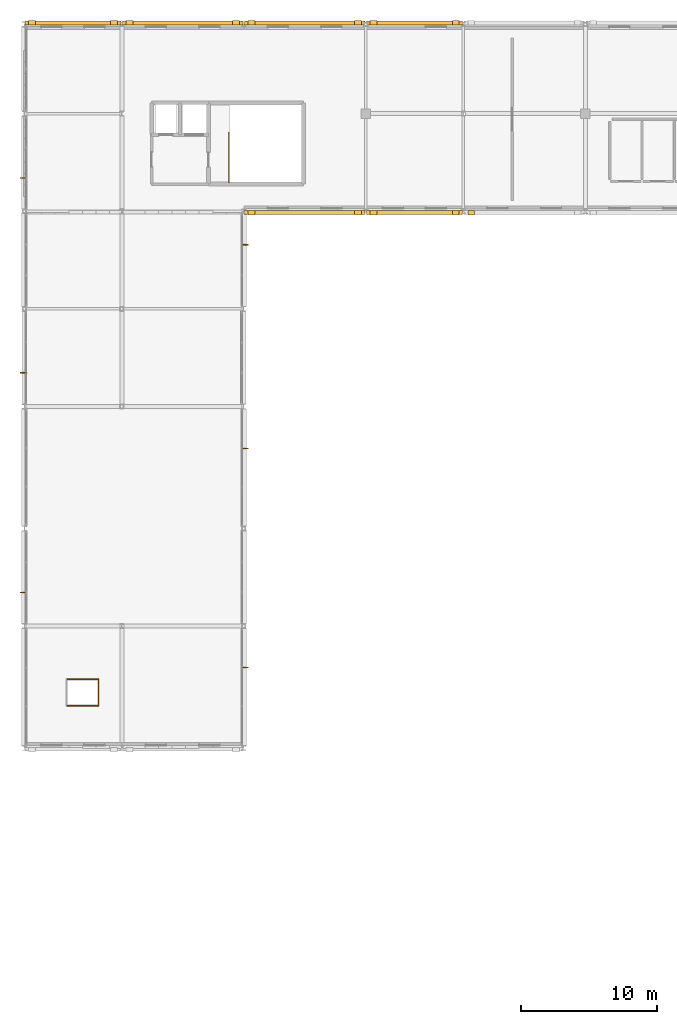
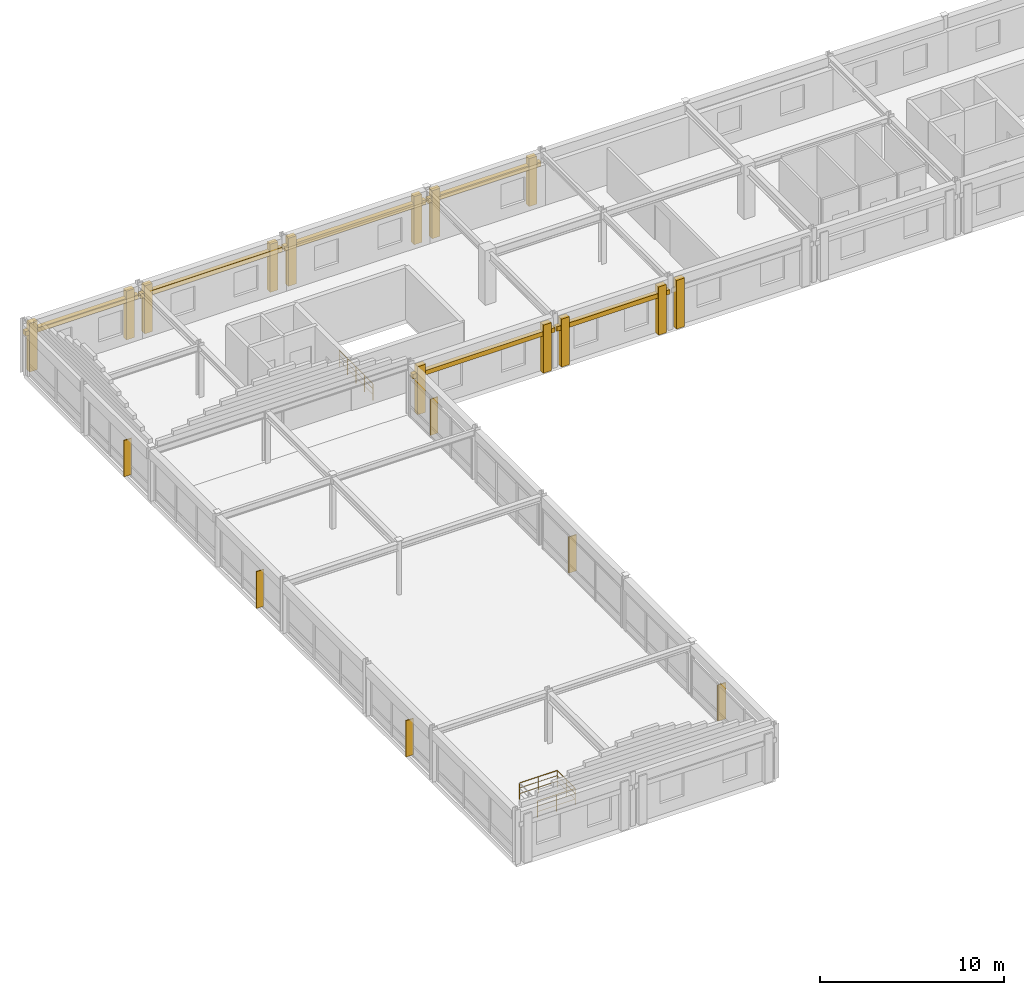
# One storey, part 47 of 52: 19 coverings, 6 shading devices, 4 railings.
"""IFC4 building model written with IfcOpenShell, lengths in metres."""

from ifc_helpers import new_model, si_unit, direction, frame, frame_2d, origin, origin_2d, place, context, subcontext, project, spatial, rectangle, circle, extrude, material, layer, layer_set, type_object, element, save


model = new_model("IFC4")

# Units and contexts
model_context = context("Model", 3, precision=1e-05, world=origin(), true_north=direction((0.0, 1.0)))
body_context = subcontext(model_context, "Body", "Model", "MODEL_VIEW")
ifc_project = project(units=[si_unit("LENGTHUNIT", "METRE"), si_unit("AREAUNIT", "SQUARE_METRE"), si_unit("VOLUMEUNIT", "CUBIC_METRE"), si_unit("PLANEANGLEUNIT", "RADIAN"), si_unit("MASSUNIT", "GRAM", prefix="KILO")], contexts=[model_context])

# Site, building, storey
site_placement = place(None, origin())
site = spatial("IfcSite", under=ifc_project, at=site_placement, CompositionType="ELEMENT")
building_placement = place(site_placement, origin())
building = spatial("IfcBuilding", under=site, at=building_placement, Name="Clarverna Civic Hall", CompositionType="ELEMENT")
storey_placement = place(building_placement, frame((0.0, 0.0, 16.800048828125)))
storey = spatial("IfcBuildingStorey", under=building, at=storey_placement, Name="L04", CompositionType="ELEMENT", Elevation=16.800048828125)

# Coverings
ifc_material_1 = material(Name="Montjuic Buff Limestone Ashlar Cladding", Category="masonry")
ifc_layer_1 = layer(ifc_material_1, 0.070068359375)
ifc_layer_set_1 = layer_set([ifc_layer_1], Name="Montjuic Buff Limestone Ashlar Cladding")
covering_type = type_object("IfcCoveringType", Name="CV-CL2", PredefinedType="CLADDING", material=ifc_layer_set_1)
covering_1_placement = place(storey_placement, frame((0.06005859375, 116.080078125, 2.4599609375), z_axis=(0.0, 0.0, 1.0), x_axis=(1.0, 0.0, 0.0)))
element("IfcCovering", 1, at=covering_1_placement, inside=storey, type_object=covering_type, Name="CV-CL2-806", PredefinedType="CLADDING", context=body_context, shape_type="SweptSolid", body=[
    extrude(rectangle(XDim=7.079833984375, YDim=0.280029296875, at=frame_2d((3.5400390625, 0.0))), origin(), (0.0, 0.0, 1.0), 0.300048828125),
])
for number, where, z_axis, x_axis, name in (
    (2, (0.320068359375, 116.110107421875, 0.0), (0.0, 0.0, 1.0), (1.0, 0.0, 0.0), "CV-CL2-807"),
    (3, (6.3798828125, 116.110107421875, 0.0), (0.0, 0.0, 1.0), (1.0, 0.0, 0.0), "CV-CL2-808"),
):
    element("IfcCovering", number, at=place(storey_placement, frame(where, z_axis=z_axis, x_axis=x_axis)), inside=storey, type_object=covering_type, Name=name, PredefinedType="CLADDING", context=body_context, shape_type="SweptSolid", body=[
        extrude(rectangle(XDim=0.5, YDim=0.340087890625, at=frame_2d((0.25, 0.0))), origin(), (0.0, 0.0, 1.0), 3.219970703125),
    ])
covering_2_placement = place(storey_placement, frame((7.260009765625, 116.080078125, 2.419921875), z_axis=(0.0, 0.0, 1.0), x_axis=(1.0, 0.0, 0.0)))
element("IfcCovering", 4, at=covering_2_placement, inside=storey, type_object=covering_type, Name="CV-CL2-809", PredefinedType="CLADDING", context=body_context, shape_type="SweptSolid", body=[
    extrude(rectangle(XDim=8.8798828125, YDim=0.280029296875, at=frame_2d((4.43994140625, 0.0))), origin(), (0.0, 0.0, 1.0), 0.300048828125),
])
for number, where, z_axis, x_axis, name in (
    (5, (7.52001953125, 116.110107421875, 0.0), (0.0, 0.0, 1.0), (1.0, 0.0, 0.0), "CV-CL2-810"),
    (6, (15.3798828125, 116.110107421875, 0.0), (0.0, 0.0, 1.0), (1.0, 0.0, 0.0), "CV-CL2-811"),
):
    element("IfcCovering", number, at=place(storey_placement, frame(where, z_axis=z_axis, x_axis=x_axis)), inside=storey, type_object=covering_type, Name=name, PredefinedType="CLADDING", context=body_context, shape_type="SweptSolid", body=[
        extrude(rectangle(XDim=0.5, YDim=0.340087890625, at=frame_2d((0.25, 0.0))), origin(), (0.0, 0.0, 1.0), 3.179931640625),
    ])
covering_3_placement = place(storey_placement, frame((16.260009765625, 116.080078125, 2.419921875), z_axis=(0.0, 0.0, 1.0), x_axis=(1.0, 0.0, 0.0)))
element("IfcCovering", 7, at=covering_3_placement, inside=storey, type_object=covering_type, Name="CV-CL2-812", PredefinedType="CLADDING", context=body_context, shape_type="SweptSolid", body=[
    extrude(rectangle(XDim=8.8798828125, YDim=0.280029296875, at=frame_2d((4.43994140625, 0.0))), origin(), (0.0, 0.0, 1.0), 0.300048828125),
])
for number, where, z_axis, x_axis, name in (
    (8, (16.52001953125, 116.110107421875, 0.0), (0.0, 0.0, 1.0), (1.0, 0.0, 0.0), "CV-CL2-813"),
    (9, (24.3798828125, 116.110107421875, 0.0), (0.0, 0.0, 1.0), (1.0, 0.0, 0.0), "CV-CL2-814"),
):
    element("IfcCovering", number, at=place(storey_placement, frame(where, z_axis=z_axis, x_axis=x_axis)), inside=storey, type_object=covering_type, Name=name, PredefinedType="CLADDING", context=body_context, shape_type="SweptSolid", body=[
        extrude(rectangle(XDim=0.5, YDim=0.340087890625, at=frame_2d((0.25, 0.0))), origin(), (0.0, 0.0, 1.0), 3.179931640625),
    ])
covering_4_placement = place(storey_placement, frame((25.260009765625, 116.080078125, 2.419921875), z_axis=(0.0, 0.0, 1.0), x_axis=(1.0, 0.0, 0.0)))
element("IfcCovering", 10, at=covering_4_placement, inside=storey, type_object=covering_type, Name="CV-CL2-815", PredefinedType="CLADDING", context=body_context, shape_type="SweptSolid", body=[
    extrude(rectangle(XDim=7.080078125, YDim=0.280029296875, at=frame_2d((3.5400390625, 0.0))), origin(), (0.0, 0.0, 1.0), 0.300048828125),
])
for number, where, z_axis, x_axis, name in (
    (11, (25.52001953125, 116.110107421875, 0.0), (0.0, 0.0, 1.0), (1.0, 0.0, 0.0), "CV-CL2-816"),
    (12, (31.580078125, 116.110107421875, 0.0), (0.0, 0.0, 1.0), (1.0, 0.0, 0.0), "CV-CL2-817"),
):
    element("IfcCovering", number, at=place(storey_placement, frame(where, z_axis=z_axis, x_axis=x_axis)), inside=storey, type_object=covering_type, Name=name, PredefinedType="CLADDING", context=body_context, shape_type="SweptSolid", body=[
        extrude(rectangle(XDim=0.5, YDim=0.340087890625, at=frame_2d((0.25, 0.0))), origin(), (0.0, 0.0, 1.0), 3.179931640625),
    ])
covering_5_placement = place(storey_placement, frame((33.219970703125, 102.090087890625, 0.0), z_axis=(0.0, 0.0, 1.0), x_axis=(-1.0, 0.0, 0.0)))
element("IfcCovering", 13, at=covering_5_placement, inside=storey, type_object=covering_type, Name="CV-CL2-841", PredefinedType="CLADDING", context=body_context, shape_type="SweptSolid", body=[
    extrude(rectangle(XDim=0.5, YDim=0.340087890625, at=frame_2d((0.25, 0.0))), origin(), (0.0, 0.0, 1.0), 3.219970703125),
])
covering_6_placement = place(storey_placement, frame((32.340087890625, 102.1201171875, 2.419921875), z_axis=(0.0, 0.0, 1.0), x_axis=(-1.0, 0.0, 0.0)))
element("IfcCovering", 14, at=covering_6_placement, inside=storey, type_object=covering_type, Name="CV-CL2-842", PredefinedType="CLADDING", context=body_context, shape_type="SweptSolid", body=[
    extrude(rectangle(XDim=7.080078125, YDim=0.280029296875, at=frame_2d((3.5400390625, 0.0))), origin(), (0.0, 0.0, 1.0), 0.300048828125),
])
for number, where, z_axis, x_axis, name in (
    (15, (32.080078125, 102.090087890625, 0.0), (0.0, 0.0, 1.0), (-1.0, 0.0, 0.0), "CV-CL2-843"),
    (16, (26.02001953125, 102.090087890625, 0.0), (0.0, 0.0, 1.0), (-1.0, 0.0, 0.0), "CV-CL2-844"),
):
    element("IfcCovering", number, at=place(storey_placement, frame(where, z_axis=z_axis, x_axis=x_axis)), inside=storey, type_object=covering_type, Name=name, PredefinedType="CLADDING", context=body_context, shape_type="SweptSolid", body=[
        extrude(rectangle(XDim=0.5, YDim=0.340087890625, at=frame_2d((0.25, 0.0))), origin(), (0.0, 0.0, 1.0), 3.179931640625),
    ])
covering_7_placement = place(storey_placement, frame((25.139892578125, 102.1201171875, 2.419921875), z_axis=(0.0, 0.0, 1.0), x_axis=(-1.0, 0.0, 0.0)))
element("IfcCovering", 17, at=covering_7_placement, inside=storey, type_object=covering_type, Name="CV-CL2-845", PredefinedType="CLADDING", context=body_context, shape_type="SweptSolid", body=[
    extrude(rectangle(XDim=8.8798828125, YDim=0.280029296875, at=frame_2d((4.43994140625, 0.0))), origin(), (0.0, 0.0, 1.0), 0.300048828125),
])
for number, where, z_axis, x_axis, name in (
    (18, (24.8798828125, 102.090087890625, 0.0), (0.0, 0.0, 1.0), (-1.0, 0.0, 0.0), "CV-CL2-846"),
    (19, (17.02001953125, 102.090087890625, 0.0), (0.0, 0.0, 1.0), (-1.0, 0.0, 0.0), "CV-CL2-847"),
):
    element("IfcCovering", number, at=place(storey_placement, frame(where, z_axis=z_axis, x_axis=x_axis)), inside=storey, type_object=covering_type, Name=name, PredefinedType="CLADDING", context=body_context, shape_type="SweptSolid", body=[
        extrude(rectangle(XDim=0.5, YDim=0.340087890625, at=frame_2d((0.25, 0.0))), origin(), (0.0, 0.0, 1.0), 3.179931640625),
    ])

# Railings
ifc_material_2 = material(Name="Anodised Bronze Architectural Balustrade")
railing_type = type_object("IfcRailingType", Name="GR-02", PredefinedType="BALUSTRADE", material=ifc_material_2)
railing_1_placement = place(storey_placement, frame((15.110107421875, 104.340087890625, 0.0)))
element("IfcRailing", 20, at=railing_1_placement, inside=storey, type_object=railing_type, Name="GR-02-119", PredefinedType="BALUSTRADE", context=body_context, shape_type="SweptSolid", body=[
    extrude(circle(Radius=0.02392578125, at=origin_2d()), frame((0.0, 0.0, 1.09619140625), z_axis=(0.0, 1.0, 0.0), x_axis=(-1.0, 0.0, 0.0)), (0.0, 0.0, 1.0), 3.659912109375),
    extrude(circle(Radius=0.011962890625, at=origin_2d()), frame((0.0, 0.0, 0.39208984375), z_axis=(0.0, 1.0, 0.0), x_axis=(-1.0, 0.0, 0.0)), (0.0, 0.0, 1.0), 3.659912109375),
    extrude(circle(Radius=0.011962890625, at=origin_2d()), frame((0.0, 0.0, 0.76171875), z_axis=(0.0, 1.0, 0.0), x_axis=(-1.0, 0.0, 0.0)), (0.0, 0.0, 1.0), 3.659912109375),
    extrude(circle(Radius=0.02099609375, at=origin_2d()), origin(), (0.0, 0.0, 1.0), 1.072021484375),
    extrude(circle(Radius=0.02099609375, at=origin_2d()), frame((0.0, 0.9150390625, 0.0)), (0.0, 0.0, 1.0), 1.072021484375),
    extrude(circle(Radius=0.02099609375, at=origin_2d()), frame((0.0, 1.830078125, 0.0)), (0.0, 0.0, 1.0), 1.072021484375),
    extrude(circle(Radius=0.02099609375, at=origin_2d()), frame((0.0, 2.744873046875, 0.0)), (0.0, 0.0, 1.0), 1.072021484375),
    extrude(circle(Radius=0.02099609375, at=origin_2d()), frame((0.0, 3.659912109375, 0.0)), (0.0, 0.0, 1.0), 1.072021484375),
])
railing_2_placement = place(storey_placement, frame((3.1201171875, 67.679931640625, 0.0)))
element("IfcRailing", 21, at=railing_2_placement, inside=storey, type_object=railing_type, Name="GR-02-289", PredefinedType="BALUSTRADE", context=body_context, shape_type="SweptSolid", body=[
    extrude(circle(Radius=0.02392578125, at=origin_2d()), frame((0.0, 0.0, 1.09619140625), z_axis=(1.0, 0.0, 0.0), x_axis=(0.0, 1.0, 0.0)), (0.0, 0.0, 1.0), 2.35986328125),
    extrude(circle(Radius=0.011962890625, at=origin_2d()), frame((0.0, 0.0, 0.39208984375), z_axis=(1.0, 0.0, 0.0), x_axis=(0.0, 1.0, 0.0)), (0.0, 0.0, 1.0), 2.35986328125),
    extrude(circle(Radius=0.011962890625, at=origin_2d()), frame((0.0, 0.0, 0.76171875), z_axis=(1.0, 0.0, 0.0), x_axis=(0.0, 1.0, 0.0)), (0.0, 0.0, 1.0), 2.35986328125),
    extrude(circle(Radius=0.02099609375, at=origin_2d()), origin(), (0.0, 0.0, 1.0), 1.072021484375),
    extrude(circle(Radius=0.02099609375, at=origin_2d()), frame((1.179931640625, 0.0, 0.0)), (0.0, 0.0, 1.0), 1.072021484375),
    extrude(circle(Radius=0.02099609375, at=origin_2d()), frame((2.35986328125, 0.0, 0.0)), (0.0, 0.0, 1.0), 1.072021484375),
])
railing_3_placement = place(storey_placement, frame((5.47998046875, 67.679931640625, 0.0)))
element("IfcRailing", 22, at=railing_3_placement, inside=storey, type_object=railing_type, Name="GR-02-290", PredefinedType="BALUSTRADE", context=body_context, shape_type="SweptSolid", body=[
    extrude(circle(Radius=0.02392578125, at=origin_2d()), frame((0.0, 0.0, 1.09619140625), z_axis=(0.0, -1.0, 0.0), x_axis=(1.0, 0.0, 0.0)), (0.0, 0.0, 1.0), 1.9599609375),
    extrude(circle(Radius=0.011962890625, at=origin_2d()), frame((0.0, 0.0, 0.39208984375), z_axis=(0.0, -1.0, 0.0), x_axis=(1.0, 0.0, 0.0)), (0.0, 0.0, 1.0), 1.9599609375),
    extrude(circle(Radius=0.011962890625, at=origin_2d()), frame((0.0, 0.0, 0.76171875), z_axis=(0.0, -1.0, 0.0), x_axis=(1.0, 0.0, 0.0)), (0.0, 0.0, 1.0), 1.9599609375),
    extrude(circle(Radius=0.02099609375, at=origin_2d()), origin(), (0.0, 0.0, 1.0), 1.072021484375),
    extrude(circle(Radius=0.02099609375, at=origin_2d()), frame((0.0, -0.97998046875, 0.0)), (0.0, 0.0, 1.0), 1.072021484375),
    extrude(circle(Radius=0.02099609375, at=origin_2d()), frame((0.0, -1.9599609375, 0.0)), (0.0, 0.0, 1.0), 1.072021484375),
])
railing_4_placement = place(storey_placement, frame((5.47998046875, 65.719970703125, 0.0)))
element("IfcRailing", 23, at=railing_4_placement, inside=storey, type_object=railing_type, Name="GR-02-291", PredefinedType="BALUSTRADE", context=body_context, shape_type="SweptSolid", body=[
    extrude(circle(Radius=0.02392578125, at=origin_2d()), frame((0.0, 0.0, 1.09619140625), z_axis=(-1.0, 0.0, 0.0), x_axis=(0.0, -1.0, 0.0)), (0.0, 0.0, 1.0), 2.35986328125),
    extrude(circle(Radius=0.011962890625, at=origin_2d()), frame((0.0, 0.0, 0.39208984375), z_axis=(-1.0, 0.0, 0.0), x_axis=(0.0, -1.0, 0.0)), (0.0, 0.0, 1.0), 2.35986328125),
    extrude(circle(Radius=0.011962890625, at=origin_2d()), frame((0.0, 0.0, 0.76171875), z_axis=(-1.0, 0.0, 0.0), x_axis=(0.0, -1.0, 0.0)), (0.0, 0.0, 1.0), 2.35986328125),
    extrude(circle(Radius=0.02099609375, at=origin_2d()), origin(), (0.0, 0.0, 1.0), 1.072021484375),
    extrude(circle(Radius=0.02099609375, at=origin_2d()), frame((-1.179931640625, 0.0, 0.0)), (0.0, 0.0, 1.0), 1.072021484375),
    extrude(circle(Radius=0.02099609375, at=origin_2d()), frame((-2.35986328125, 0.0, 0.0)), (0.0, 0.0, 1.0), 1.072021484375),
])

# Shading devices
ifc_material_3 = material(Name="Anodised Bronze Architectural Solar Fin", Category="aluminium")
ifc_layer_2 = layer(ifc_material_3, 0.054931640625)
ifc_layer_set_2 = layer_set([ifc_layer_2], Name="Anodised Bronze Architectural Solar Fin")
shading_device_type = type_object("IfcShadingDeviceType", Name="SD-FN1", PredefinedType="USERDEFINED", material=ifc_layer_set_2)
shading_device_1_placement = place(storey_placement, frame((0.169921875, 74.07275390625, 0.14990234375), z_axis=(0.0, 0.0, 1.0), x_axis=(-1.0, 0.0, 0.0)))
element("IfcShadingDevice", 24, at=shading_device_1_placement, inside=storey, type_object=shading_device_type, Name="SD-FN1-061", ObjectType="FIN", PredefinedType="USERDEFINED", context=body_context, shape_type="SweptSolid", body=[
    extrude(rectangle(XDim=0.47998046875, YDim=0.054931640625, at=frame_2d((0.239990234375, 0.0))), origin(), (0.0, 0.0, 1.0), 2.400146484375),
])
shading_device_2_placement = place(storey_placement, frame((0.169921875, 90.2822265625, 0.14990234375), z_axis=(0.0, 0.0, 1.0), x_axis=(-1.0, 0.0, 0.0)))
element("IfcShadingDevice", 25, at=shading_device_2_placement, inside=storey, type_object=shading_device_type, Name="SD-FN1-062", ObjectType="FIN", PredefinedType="USERDEFINED", context=body_context, shape_type="SweptSolid", body=[
    extrude(rectangle(XDim=0.47998046875, YDim=0.054931640625, at=frame_2d((0.239990234375, 0.0))), origin(), (0.0, 0.0, 1.0), 2.43994140625),
])
for number, where, z_axis, x_axis, name in (
    (26, (0.169921875, 104.647705078125, 0.14990234375), (0.0, 0.0, 1.0), (-1.0, 0.0, 0.0), "SD-FN1-063"),
    (27, (16.030029296875, 99.7255859375, 0.14990234375), (0.0, 0.0, 1.0), (1.0, 0.0, 0.0), "SD-FN1-065"),
    (28, (16.030029296875, 84.697265625, 0.14990234375), (0.0, 0.0, 1.0), (1.0, 0.0, 0.0), "SD-FN1-066"),
    (29, (16.030029296875, 68.536376953125, 0.14990234375), (0.0, 0.0, 1.0), (1.0, 0.0, 0.0), "SD-FN1-067"),
):
    element("IfcShadingDevice", number, at=place(storey_placement, frame(where, z_axis=z_axis, x_axis=x_axis)), inside=storey, type_object=shading_device_type, Name=name, ObjectType="FIN", PredefinedType="USERDEFINED", context=body_context, shape_type="SweptSolid", body=[
        extrude(rectangle(XDim=0.47998046875, YDim=0.054931640625, at=frame_2d((0.239990234375, 0.0))), origin(), (0.0, 0.0, 1.0), 2.400146484375),
    ])

save(model, "model.ifc")
